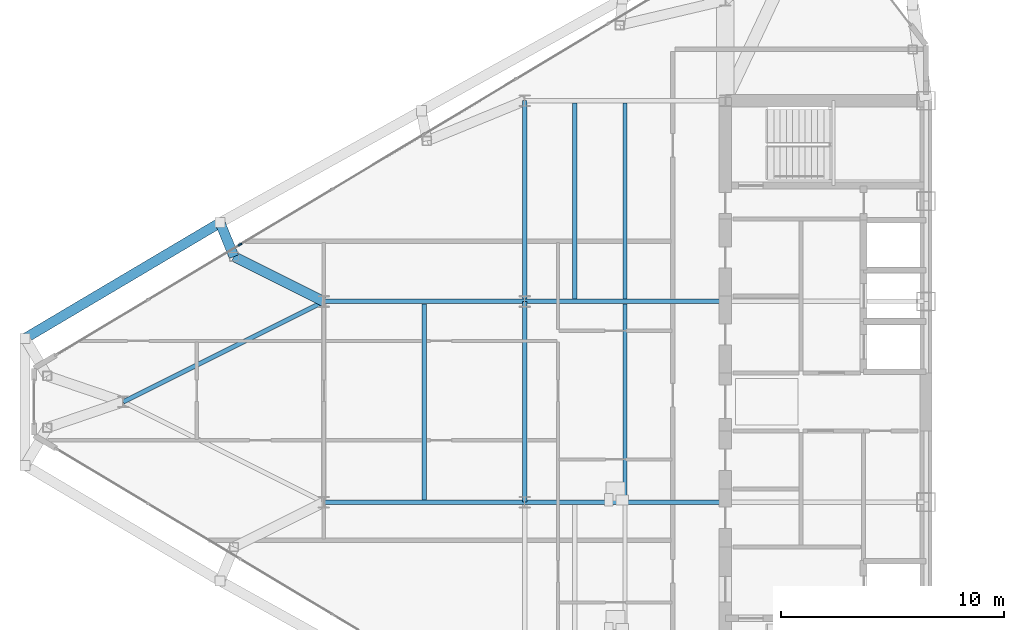
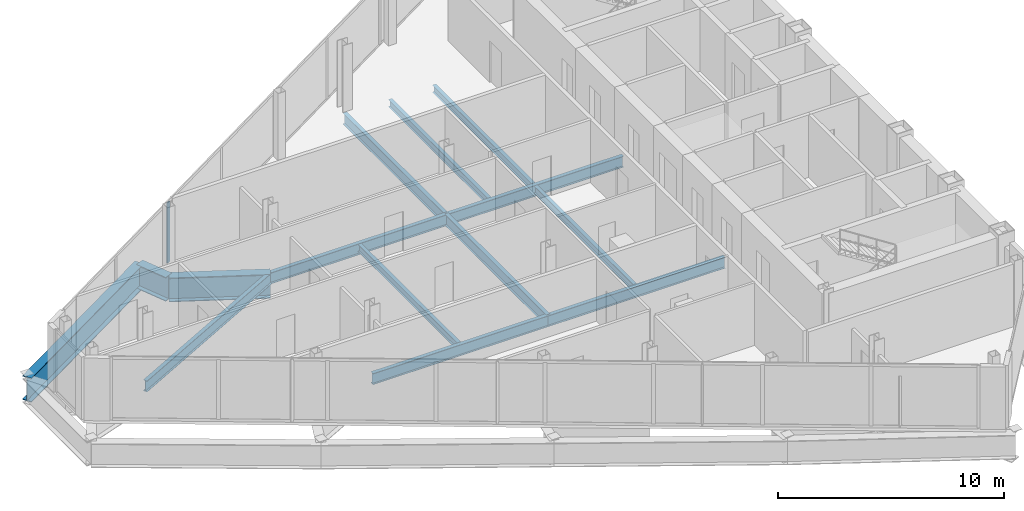
# One storey, part 8 of 29: 14 beams, 1 member, 1 element without a shape of its own.
"""IFC4 building model written with IfcOpenShell, lengths in metres."""

from ifc_helpers import new_model, si_unit, direction, frame, origin, origin_2d, place, context, subcontext, project, spatial, rectangle, i_section, extrude, source, transform, mapped, material, layer, layer_set, material_profile, profile_set, type_object, type_shapes, element, aggregate, save


model = new_model("IFC4")

# Units and contexts
model_context = context("Model", 3, precision=1e-05, world=origin(), true_north=direction((0.0, 1.0)))
body_context = subcontext(model_context, "Body", "Model", "MODEL_VIEW")
ifc_project = project(units=[si_unit("LENGTHUNIT", "METRE"), si_unit("AREAUNIT", "SQUARE_METRE"), si_unit("VOLUMEUNIT", "CUBIC_METRE"), si_unit("PLANEANGLEUNIT", "RADIAN"), si_unit("MASSUNIT", "GRAM", prefix="KILO")], contexts=[model_context])

# Site, building, storey
site_placement = place(None, origin())
site = spatial("IfcSite", under=ifc_project, at=site_placement, CompositionType="ELEMENT")
building_placement = place(site_placement, origin())
building = spatial("IfcBuilding", under=site, at=building_placement, Name="Seokmaru Belvedere", CompositionType="ELEMENT")
storey_placement = place(building_placement, frame((0.0, 0.0, 195.89990234375)))
storey = spatial("IfcBuildingStorey", under=building, at=storey_placement, Name="L52", CompositionType="ELEMENT", Elevation=195.89990234375)

# Beams
ifc_material_1 = material(Name="Steel SM355 (355 MPa)", Category="steel")
ifc_material_profile_1 = material_profile(ifc_material_1, i_section(OverallWidth=0.199951171875, OverallDepth=0.60009765625, WebThickness=0.010986328125, FlangeThickness=0.01708984375, at=origin_2d()), Name="H-600x200x11x17")
ifc_profile_set_1 = profile_set([ifc_material_profile_1], Name="Steel SM355 (355 MPa)")
beam_type_1 = type_object("IfcBeamType", Name="Primary Floor Girder H-600", PredefinedType="BEAM", material=ifc_profile_set_1)
shared_shape_1 = source(origin(), body_context, "Body", "SweptSolid", [
    extrude(i_section(OverallWidth=0.199951171875, OverallDepth=0.60009765625, WebThickness=0.010986328125, FlangeThickness=0.01708984375, at=origin_2d()), origin(), (0.0, 0.0, 1.0), 9.0),
])
for number, where, z_axis, x_axis, name in (
    (1, (-45.5, -4.5, -0.52001953125), (0.0, 1.0, 0.0), (-1.0, 0.0, 0.0), "L52 W Interior Grid Girder 2"),
    (2, (-45.5, 4.5, -0.52001953125), (0.0, 1.0, 0.0), (-1.0, 0.0, 0.0), "L52 W Interior Grid Girder 3"),
    (3, (-45.5, -4.5, -0.52001953125), (1.0, 0.0, 0.0), (0.0, 1.0, 0.0), "L52 W Wing Primary Girder 2"),
    (4, (-45.5, 4.5, -0.52001953125), (1.0, 0.0, 0.0), (0.0, 1.0, 0.0), "L52 W Wing Primary Girder 3"),
    (5, (-54.5, -4.5, -0.52001953125), (1.0, 0.0, 0.0), (0.0, 1.0, 0.0), "L52 W Outer Wing Girder 1"),
    (6, (-54.5, 4.5, -0.52001953125), (1.0, 0.0, 0.0), (0.0, 1.0, 0.0), "L52 W Outer Wing Girder 2"),
):
    element("IfcBeam", number, at=place(storey_placement, frame(where, z_axis=z_axis, x_axis=x_axis)), inside=storey, type_object=beam_type_1, Name=name, PredefinedType="BEAM", context=body_context, shape_type="MappedRepresentation", body=[
        mapped(shared_shape_1, transform((0.0, 0.0, 0.0), scale=1.0)),
    ])
shared_shape_2 = source(origin(), body_context, "Body", "SweptSolid", [
    extrude(i_section(OverallWidth=0.199951171875, OverallDepth=0.60009765625, WebThickness=0.010986328125, FlangeThickness=0.01708984375, at=origin_2d()), origin(), (0.0, 0.0, 1.0), 10.062255859375),
])
type_shapes(beam_type_1, [shared_shape_1, shared_shape_2])
beam_1_placement = place(storey_placement, frame((-54.5, 4.5, -0.52001953125), z_axis=(-0.894427191, -0.4472135955, 0.0), x_axis=(0.4472135955, -0.894427191, 0.0)))
element("IfcBeam", 7, at=beam_1_placement, inside=storey, type_object=beam_type_1, Name="L52 W Apex Converging Girder 2", PredefinedType="BEAM", context=body_context, shape_type="MappedRepresentation", body=[
    mapped(shared_shape_2, transform((0.0, 0.0, 0.0), scale=1.0)),
])
ifc_material_profile_2 = material_profile(ifc_material_1, i_section(OverallWidth=0.18505859375, OverallDepth=0.389892578125, WebThickness=0.008056640625, FlangeThickness=0.011962890625, at=origin_2d()), Name="H-390x185x8x12")
ifc_profile_set_2 = profile_set([ifc_material_profile_2], Name="Steel SM355 (355 MPa)")
beam_type_2 = type_object("IfcBeamType", Name="Secondary Floor Joist H-350", PredefinedType="JOIST", material=ifc_profile_set_2)
shared_shape_3 = source(origin(), body_context, "Body", "SweptSolid", [
    extrude(i_section(OverallWidth=0.18505859375, OverallDepth=0.389892578125, WebThickness=0.008056640625, FlangeThickness=0.011962890625, at=origin_2d()), origin(), (0.0, 0.0, 1.0), 8.7900390625),
])
type_shapes(beam_type_2, [shared_shape_3])
for number, where, z_axis, x_axis, name in (
    (8, (-43.25, 4.60498046875, -0.414794921875), (0.0, 1.0, 0.0), (-1.0, 0.0, 0.0), "L52 W Wing Inner Secondary Joist 2"),
    (9, (-41.0, -4.39501953125, -0.414794921875), (0.0, 1.0, 0.0), (-1.0, 0.0, 0.0), "L52 W Secondary Floor Joist 2"),
    (10, (-41.0, 4.60498046875, -0.414794921875), (0.0, 1.0, 0.0), (-1.0, 0.0, 0.0), "L52 W Secondary Floor Joist 3"),
    (11, (-50.0, -4.39501953125, -0.414794921875), (0.0, 1.0, 0.0), (-1.0, 0.0, 0.0), "L52 W Outer Bay Secondary Joist"),
):
    element("IfcBeam", number, at=place(storey_placement, frame(where, z_axis=z_axis, x_axis=x_axis)), inside=storey, type_object=beam_type_2, Name=name, PredefinedType="JOIST", context=body_context, shape_type="MappedRepresentation", body=[
        mapped(shared_shape_3, transform((0.0, 0.0, 0.0), scale=1.0)),
    ])
ifc_material_2 = material(Name="Steel HSA650 (650 MPa)", Category="steel")
ifc_material_profile_3 = material_profile(ifc_material_2, i_section(OverallWidth=0.449951171875, OverallDepth=1.300048828125, WebThickness=0.02197265625, FlangeThickness=0.0380859375, at=origin_2d()), Name="BH-1300x450x22x38")
ifc_profile_set_3 = profile_set([ifc_material_profile_3], Name="Steel HSA650 (650 MPa)")
beam_type_3 = type_object("IfcBeamType", Name="Observatory Long-Span Roof Girder BH-1300", PredefinedType="BEAM", material=ifc_profile_set_3)
shared_shape_4 = source(origin(), body_context, "Body", "SweptSolid", [
    extrude(i_section(OverallWidth=0.449951171875, OverallDepth=1.300048828125, WebThickness=0.02197265625, FlangeThickness=0.0380859375, at=origin_2d()), origin(), (0.0, 0.0, 1.0), 10.16650390625),
])
beam_2_placement = place(storey_placement, frame((-59.154541015625, 8.031494140625, -0.869873046875), z_axis=(-0.860209996506, -0.509939959124, 0.0), x_axis=(0.509939959124, -0.860209996506, 0.0)))
element("IfcBeam", 12, at=beam_2_placement, inside=storey, type_object=beam_type_3, Name="L52 W Faceted Flank Spandrel N-4", PredefinedType="BEAM", context=body_context, shape_type="MappedRepresentation", body=[
    mapped(shared_shape_4, transform((0.0, 0.0, 0.0), scale=1.0)),
])
shared_shape_5 = source(origin(), body_context, "Body", "SweptSolid", [
    extrude(i_section(OverallWidth=0.449951171875, OverallDepth=1.300048828125, WebThickness=0.02197265625, FlangeThickness=0.0380859375, at=origin_2d()), origin(), (0.0, 0.0, 1.0), 1.645751953125),
])
beam_3_placement = place(storey_placement, frame((-59.154541015625, 8.031494140625, -0.869873046875), z_axis=(0.379458683871, -0.925208683074, 0.0), x_axis=(0.925208683074, 0.379458683871, 0.0)))
element("IfcBeam", 13, at=beam_3_placement, inside=storey, type_object=beam_type_3, Name="L52 W Flank Setback Step Girder N-3", PredefinedType="BEAM", context=body_context, shape_type="MappedRepresentation", body=[
    mapped(shared_shape_5, transform((0.0, 0.0, 0.0), scale=1.0)),
])
shared_shape_6 = source(origin(), body_context, "Body", "SweptSolid", [
    extrude(i_section(OverallWidth=0.449951171875, OverallDepth=1.300048828125, WebThickness=0.02197265625, FlangeThickness=0.0380859375, at=origin_2d()), origin(), (0.0, 0.0, 1.0), 4.5029296875),
])
type_shapes(beam_type_3, [shared_shape_4, shared_shape_5, shared_shape_6])
beam_4_placement = place(storey_placement, frame((-58.530029296875, 6.5087890625, -0.869873046875), z_axis=(0.894979532585, -0.446107202648, 0.0), x_axis=(0.446107202648, 0.894979532585, 0.0)))
element("IfcBeam", 14, at=beam_4_placement, inside=storey, type_object=beam_type_3, Name="L52 W Flank Setback Back-Span Girder N-3", PredefinedType="BEAM", context=body_context, shape_type="MappedRepresentation", body=[
    mapped(shared_shape_6, transform((0.0, 0.0, 0.0), scale=1.0)),
])

# Curtain wall, member
ifc_material_3 = material(Name="Bronze Triple Insulating Glass", Category="glass")
ifc_layer = layer(ifc_material_3, 0.179931640625)
ifc_layer_set = layer_set([ifc_layer], Name="Bronze Triple Insulating Glass")
curtain_wall_type = type_object("IfcCurtainWallType", Name="High-Rise Wind-Corner Curtain Wall System CW-5", PredefinedType="NOTDEFINED", material=ifc_layer_set)
curtain_wall_placement = place(storey_placement, origin())
curtain_wall = element("IfcCurtainWall", 15, at=curtain_wall_placement, inside=storey, type_object=curtain_wall_type, Name="L52 Curtain Wall WF3", PredefinedType="NOTDEFINED")
ifc_material_4 = material(Name="Anodised Bronze Aluminium", Category="aluminium")
ifc_material_profile_4 = material_profile(ifc_material_4, rectangle(XDim=0.06494140625, YDim=0.179931640625, at=origin_2d()), Name="CW-M-65x180")
ifc_profile_set_4 = profile_set([ifc_material_profile_4], Name="Anodised Bronze Aluminium")
member_type = type_object("IfcMemberType", Name="Bronze Unitised Mullion 65x180", PredefinedType="MULLION", material=ifc_profile_set_4)
shared_shape_7 = source(origin(), body_context, "Body", "SweptSolid", [
    extrude(rectangle(XDim=0.06494140625, YDim=0.179931640625, at=origin_2d()), origin(), (0.0, 0.0, 1.0), 3.25),
])
type_shapes(member_type, [shared_shape_7])
member_placement = place(storey_placement, frame((-58.257080078125, 7.0458984375, 0.065185546875), z_axis=(0.0, 0.0, 1.0), x_axis=(0.514494909364, -0.85749343335, 0.0)))
member = element("IfcMember", 16, at=member_placement, type_object=member_type, Name="CW:L52:WF3 Mullion 7", PredefinedType="MULLION", context=body_context, shape_type="MappedRepresentation", body=[
    mapped(shared_shape_7, transform((0.0, 0.0, 0.0), scale=1.0)),
])
aggregate(curtain_wall, [member])

save(model, "model.ifc")
